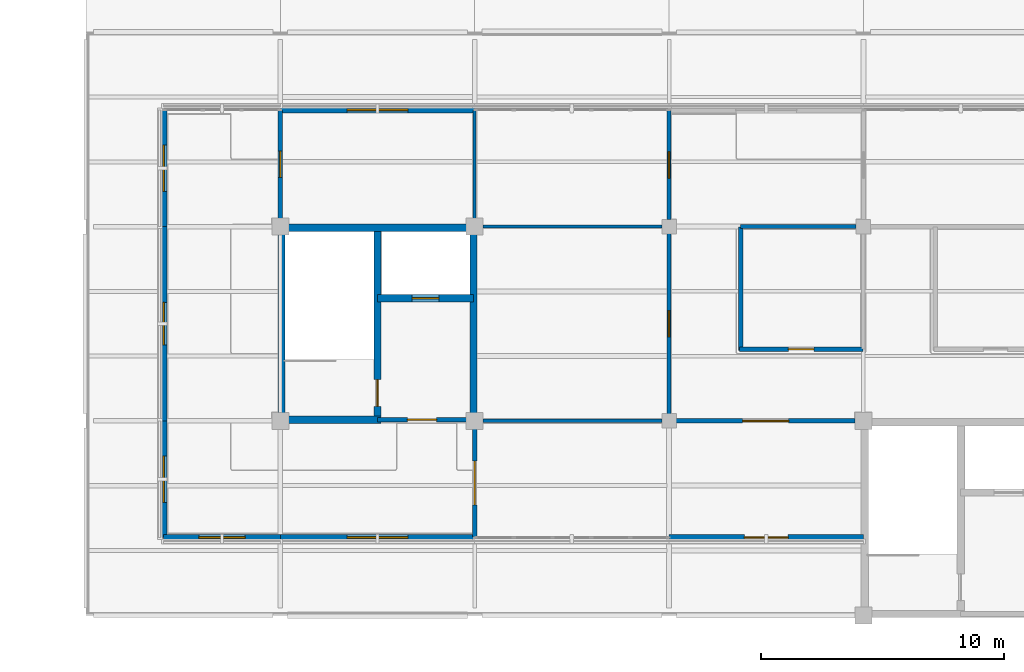
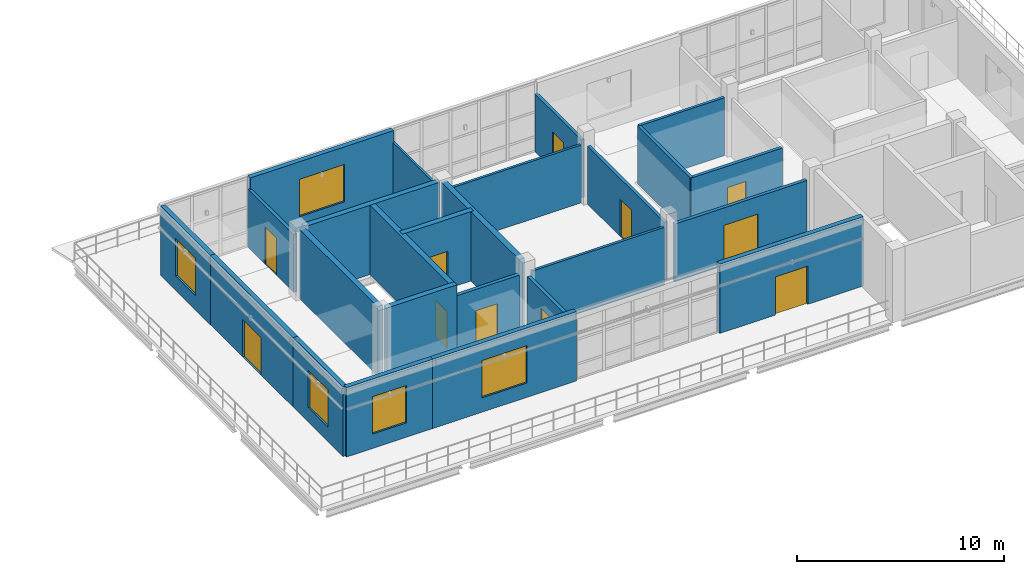
# One storey, part 17 of 24: 25 walls, 11 doors, 5 windows, 16 openings.
"""IFC4 building model written with IfcOpenShell, lengths in metres."""

import ifcopenshell
import ifcopenshell.guid

model = None  # the IFC model being written
_history = None  # IfcOwnerHistory: only IFC2X3 demands one
_inside = {}  # id of a spatial element -> (the spatial element, [elements in it])
_under = {}  # id of a project, library or spatial element -> (it, [spatial elements below it])
_declared = {}  # id of a project -> (the project, [libraries it declares])
_typed = {}  # id of a type object -> (the type object, [elements of that type])
_made_of = {}  # id of a material, layer set ... -> (it, [elements and type objects made of it])


def new_model(schema):
    """Start an empty IFC model of exactly this schema.

    Asked for "IFC4X3", IfcOpenShell would pick the latest addendum, in which some entities
    have other attributes; the version numbers below select the first issue.
    IFC2X3 requires an IfcOwnerHistory on every rooted entity: one is made here for all.
    """
    global model, _history
    if schema == "IFC4X3":
        model = ifcopenshell.file(schema_version=(4, 3, 0, 0))
    else:
        model = ifcopenshell.file(schema=schema)
    _inside.clear()
    _under.clear()
    _declared.clear()
    _typed.clear()
    _made_of.clear()
    _history = None
    if model.schema == "IFC2X3":
        org = make("IfcOrganization", Name="unknown")
        user = make(
            "IfcPersonAndOrganization",
            ThePerson=make("IfcPerson", FamilyName="unknown"),
            TheOrganization=org,
        )
        app = make(
            "IfcApplication",
            ApplicationDeveloper=org,
            Version="unknown",
            ApplicationFullName="unknown",
            ApplicationIdentifier="unknown",
        )
        _history = make(
            "IfcOwnerHistory",
            OwningUser=user,
            OwningApplication=app,
            ChangeAction="ADDED",
            CreationDate=0,
        )
    return model


def make(cls, **values):
    """One entity of the class cls with the attributes given. An attribute that is None is left unset."""
    return model.create_entity(
        cls, **{name: value for name, value in values.items() if value is not None}
    )


def rooted(cls, **values):
    """An entity with a GlobalId (a new one), such as an element, a storey or a relation."""
    return make(cls, GlobalId=ifcopenshell.guid.new(), OwnerHistory=_history, **values)


def si_unit(unit_type, name, prefix=None):
    """IfcSIUnit, for example si_unit("LENGTHUNIT", "METRE", prefix="MILLI")."""
    return make("IfcSIUnit", UnitType=unit_type, Prefix=prefix, Name=name)


def derived_unit(unit_type, elements):
    """IfcDerivedUnit: a product of units, each with its exponent."""
    return make(
        "IfcDerivedUnit",
        Elements=[
            make("IfcDerivedUnitElement", Unit=unit, Exponent=power)
            for unit, power in elements
        ],
        UnitType=unit_type,
    )


def assignment(units):
    """IfcUnitAssignment: the units of a project."""
    return None if units is None else make("IfcUnitAssignment", Units=units)


def point(xyz):
    """IfcCartesianPoint."""
    return None if xyz is None else make("IfcCartesianPoint", Coordinates=xyz)


def direction(xyz):
    """IfcDirection."""
    return None if xyz is None else make("IfcDirection", DirectionRatios=xyz)


def frame(location, z_axis=None, x_axis=None):
    """IfcAxis2Placement3D, a coordinate frame: its origin and axes. An axis left out is left unset."""
    return make(
        "IfcAxis2Placement3D",
        Location=point(location),
        Axis=direction(z_axis),
        RefDirection=direction(x_axis),
    )


def frame_2d(location, x_axis=None):
    """IfcAxis2Placement2D, a coordinate frame in the plane: its origin and x axis."""
    return make(
        "IfcAxis2Placement2D", Location=point(location), RefDirection=direction(x_axis)
    )


def origin():
    """The frame at (0, 0, 0) with its axes left unset."""
    return frame((0.0, 0.0, 0.0))


def place(relative_to, where):
    """IfcLocalPlacement: puts the frame where relative to a parent placement (None: the world)."""
    return make(
        "IfcLocalPlacement", PlacementRelTo=relative_to, RelativePlacement=where
    )


def context(
    kind, dimensions, precision=None, world=None, true_north=None, identifier=None
):
    """IfcGeometricRepresentationContext, for example the 3D "Model" context."""
    return make(
        "IfcGeometricRepresentationContext",
        ContextIdentifier=identifier,
        ContextType=kind,
        CoordinateSpaceDimension=dimensions,
        Precision=precision,
        WorldCoordinateSystem=world,
        TrueNorth=true_north,
    )


def subcontext(parent, identifier, kind, view, scale=None):
    """IfcGeometricRepresentationSubContext, for example "Body" below "Model"."""
    return make(
        "IfcGeometricRepresentationSubContext",
        ContextIdentifier=identifier,
        ContextType=kind,
        ParentContext=parent,
        TargetScale=scale,
        TargetView=view,
    )


def project(units=None, contexts=None):
    """IfcProject with its units and contexts."""
    return rooted(
        "IfcProject",
        Name="project",
        RepresentationContexts=contexts,
        UnitsInContext=assignment(units),
    )


def spatial(cls, under=None, at=None, **own):
    """A site, building, storey or space (cls), placed at a placement, below another one or the project."""
    s = rooted(cls, ObjectPlacement=at, **own)
    if under is not None:
        _under.setdefault(under.id(), (under, []))[1].append(s)
    return s


def profile(cls, at=None, kind="AREA", **sizes):
    """A parametric profile (cls). Its sizes go by their IFC names, for example OverallWidth=200.0."""
    return make(cls, ProfileType=kind, Position=at, **sizes)


def rectangle(**sizes):
    """IfcRectangleProfileDef."""
    return profile("IfcRectangleProfileDef", **sizes)


def extrude(swept, where, along, depth):
    """IfcExtrudedAreaSolid: the profile swept, set in the frame where, extruded along a direction by depth."""
    return make(
        "IfcExtrudedAreaSolid",
        SweptArea=swept,
        Position=where,
        ExtrudedDirection=direction(along),
        Depth=depth,
    )


def shape(context_of_items, identifier, shape_type, items):
    """IfcShapeRepresentation: the items that make up one representation, for example the "Body"."""
    return make(
        "IfcShapeRepresentation",
        ContextOfItems=context_of_items,
        RepresentationIdentifier=identifier,
        RepresentationType=shape_type,
        Items=items,
    )


def material(Name=None, Category=None):
    """IfcMaterial."""
    return make("IfcMaterial", Name=Name, Category=Category)


def layer(
    of_material, thickness, ventilated=None, Name=None, Category=None, Priority=None
):
    """IfcMaterialLayer: one layer of a wall or slab, of a material (None: an air gap)."""
    return make(
        "IfcMaterialLayer",
        Material=of_material,
        LayerThickness=thickness,
        IsVentilated=ventilated,
        Name=Name,
        Category=Category,
        Priority=Priority,
    )


def layer_set(layers, Name=None):
    """IfcMaterialLayerSet."""
    return make("IfcMaterialLayerSet", MaterialLayers=layers, LayerSetName=Name)


def made_of(thing, what):
    """Note that an element or type object is made of a material, layer set ...; save() writes the relation."""
    if what is not None:
        _made_of.setdefault(what.id(), (what, []))[1].append(thing)
    return thing


def type_object(cls, material=None, **own):
    """A type object (cls), such as IfcWallType, which elements share."""
    return made_of(rooted(cls, **own), material)


def element(
    cls,
    number,
    at=None,
    inside=None,
    cuts=None,
    type_object=None,
    material=None,
    context=None,
    identifier="Body",
    shape_type=None,
    held_by="IfcProductDefinitionShape",
    body=None,
    shapes=None,
    **own,
):
    """One element of the class cls, such as IfcWall. Its Tag is "e" and its number.

    at: its placement. inside: the storey or other place that contains it. cuts: it is an
    opening in that element (IfcRelVoidsElement). A single representation is given by context,
    identifier, shape_type and body (its items); several are given by shapes. held_by: the class
    of the entity that holds the representations. save() writes the other relations.
    """
    e = rooted(cls, Tag="e%d" % number, ObjectPlacement=at, **own)
    if body is not None:
        shapes = [shape(context, identifier, shape_type, body)]
    if shapes is not None:
        e.Representation = make(held_by, Representations=shapes)
    if inside is not None:
        _inside.setdefault(inside.id(), (inside, []))[1].append(e)
    if cuts is not None:
        rooted(
            "IfcRelVoidsElement", RelatingBuildingElement=cuts, RelatedOpeningElement=e
        )
    if type_object is not None:
        _typed.setdefault(type_object.id(), (type_object, []))[1].append(e)
    return made_of(e, material)


def fill(opening, filler):
    """IfcRelFillsElement: the door or window that sits in an opening."""
    return rooted(
        "IfcRelFillsElement",
        RelatingOpeningElement=opening,
        RelatedBuildingElement=filler,
    )


def aggregate(whole, parts):
    """IfcRelAggregates: a whole, such as a stair, and the parts it consists of."""
    return rooted("IfcRelAggregates", RelatingObject=whole, RelatedObjects=parts)


def save(model, path):
    """Write the relations noted so far, then the file.

    IfcRelAggregates (storeys below a building ...), IfcRelContainedInSpatialStructure (elements
    in a storey), IfcRelDefinesByType, IfcRelAssociatesMaterial and IfcRelDeclares: one each for
    every whole, place, type object, material and project.
    """
    for whole, parts in _under.values():
        aggregate(whole, parts)
    for where, things in _inside.values():
        rooted(
            "IfcRelContainedInSpatialStructure",
            RelatedElements=things,
            RelatingStructure=where,
        )
    for kind, things in _typed.values():
        rooted("IfcRelDefinesByType", RelatedObjects=things, RelatingType=kind)
    for what, things in _made_of.values():
        rooted("IfcRelAssociatesMaterial", RelatedObjects=things, RelatingMaterial=what)
    for by, libraries in _declared.values():
        rooted("IfcRelDeclares", RelatingContext=by, RelatedDefinitions=libraries)
    model.write(path)


model = new_model("IFC4")

# Units and contexts
model_context = context("Model", 3, precision=1e-05, world=origin(), true_north=direction((0.0, 1.0)))
body_context = subcontext(model_context, "Body", "Model", "MODEL_VIEW")
ifc_project = project(units=[si_unit("LENGTHUNIT", "METRE"), si_unit("AREAUNIT", "SQUARE_METRE"), si_unit("VOLUMEUNIT", "CUBIC_METRE"), si_unit("PLANEANGLEUNIT", "RADIAN"), si_unit("MASSUNIT", "GRAM", prefix="KILO"), derived_unit("THERMALTRANSMITTANCEUNIT", [(si_unit("MASSUNIT", "GRAM", prefix="KILO"), 1), (si_unit("TIMEUNIT", "SECOND"), -3), (si_unit("THERMODYNAMICTEMPERATUREUNIT", "KELVIN"), -1)])], contexts=[model_context])

# Site, building, storey
site_placement = place(None, origin())
site = spatial("IfcSite", under=ifc_project, at=site_placement, CompositionType="ELEMENT")
building_placement = place(site_placement, origin())
building = spatial("IfcBuilding", under=site, at=building_placement, Name="Veyamyaing Civic Hall", CompositionType="ELEMENT")
storey_placement = place(building_placement, frame((0.0, 0.0, 25.739990234375)))
storey = spatial("IfcBuildingStorey", under=building, at=storey_placement, Name="L06", CompositionType="ELEMENT", Elevation=25.739990234375)

# Walls
ifc_material_1 = material(Name="Concrete C40/50", Category="concrete")
ifc_layer_1 = layer(ifc_material_1, 0.300048828125, Name="Concrete C40/50")
ifc_layer_set_1 = layer_set([ifc_layer_1], Name="Concrete C40/50")
wall_type_1 = type_object("IfcWallType", Name="WT-05", PredefinedType="SHEAR", material=ifc_layer_set_1)
for number, where, z_axis, x_axis, name in (
    (1, (136.050048828125, 96.239990234375, 0.0), (0.0, 0.0, 1.0), (0.0, 1.0, 0.0), "Core shear wall WT-05 CORE-4 L06.W"),
    (2, (136.239990234375, 103.949951171875, 0.0), (0.0, 0.0, 1.0), (1.0, 0.0, 0.0), "Core shear wall WT-05 CORE-4 L06.N"),
    (3, (143.949951171875, 96.239990234375, 0.0), (0.0, 0.0, 1.0), (0.0, 1.0, 0.0), "Core shear wall WT-05 CORE-4 L06.E"),
):
    element("IfcWall", number, at=place(storey_placement, frame(where, z_axis=z_axis, x_axis=x_axis)), inside=storey, type_object=wall_type_1, Name=name, PredefinedType="SHEAR", context=body_context, shape_type="SweptSolid", body=[
        extrude(rectangle(XDim=7.52001953125, YDim=0.300048828125, at=frame_2d((3.760009765625, 0.0))), origin(), (0.0, 0.0, 1.0), 4.090087890625),
    ])
wall_1_placement = place(storey_placement, frame((136.239990234375, 96.050048828125, 0.0), z_axis=(0.0, 0.0, 1.0), x_axis=(1.0, 0.0, 0.0)))
element("IfcWall", 4, at=wall_1_placement, inside=storey, type_object=wall_type_1, Name="Core shear wall WT-05 CORE-4 L06.SS", PredefinedType="SHEAR", context=body_context, shape_type="SweptSolid", body=[
    extrude(rectangle(XDim=3.909912109375, YDim=0.300048828125, at=frame_2d((1.955078125, 0.0))), origin(), (0.0, 0.0, 1.0), 4.090087890625),
])

# Wall, opening, door
wall_2_placement = place(storey_placement, frame((140.0, 96.050048828125, 0.0), z_axis=(0.0, 0.0, 1.0), x_axis=(0.0, 1.0, 0.0)))
wall_2 = element("IfcWall", 5, at=wall_2_placement, inside=storey, type_object=wall_type_1, Name="Core shear wall WT-05 CORE-4 L06.MID", PredefinedType="SHEAR", context=body_context, shape_type="SweptSolid", body=[
    extrude(rectangle(XDim=7.89990234375, YDim=0.300048828125, at=frame_2d((3.949951171875, 0.0))), origin(), (0.0, 0.0, 1.0), 4.090087890625),
])
opening_1_placement = place(wall_2_placement, frame((0.550048828125, 0.0, 0.0)))
opening_1 = element("IfcOpeningElement", 6, at=opening_1_placement, cuts=wall_2, Name="Opening D-03", PredefinedType="OPENING", context=body_context, shape_type="SweptSolid", body=[
    extrude(rectangle(XDim=1.10009765625, YDim=2.14990234375, at=frame_2d((0.550048828125, 1.074951171875))), frame((0.0, 0.159912109375, 0.0), z_axis=(0.0, -1.0, 0.0), x_axis=(1.0, 0.0, 0.0)), (0.0, 0.0, 1.0), 0.320068359375),
])
ifc_material_2 = material(Name="Galvanized steel S355J2", Category="steel")
door_type_1 = type_object("IfcDoorType", Name="D-03", OperationType="NOTDEFINED", PredefinedType="DOOR", material=ifc_material_2)
door_1_placement = place(opening_1_placement, origin())
door_1 = element("IfcDoor", 7, at=door_1_placement, inside=storey, type_object=door_type_1, Name="Exit stair fire door D-03 ST-04 L06", OperationType="SINGLE_SWING_RIGHT", OverallHeight=2.14990234375, OverallWidth=1.10009765625, PredefinedType="DOOR", context=body_context, shape_type="SweptSolid", body=[
    extrude(rectangle(XDim=1.10009765625, YDim=2.14990234375, at=frame_2d((0.550048828125, 1.074951171875))), frame((0.0, 0.02490234375, 0.0), z_axis=(0.0, -1.0, 0.0), x_axis=(1.0, 0.0, 0.0)), (0.0, 0.0, 1.0), 0.050048828125),
])
fill(opening_1, door_1)

wall_3_placement = place(storey_placement, frame((140.0, 101.050048828125, 0.0), z_axis=(0.0, 0.0, 1.0), x_axis=(1.0, 0.0, 0.0)))
wall_3 = element("IfcWall", 8, at=wall_3_placement, inside=storey, type_object=wall_type_1, Name="Core shear wall WT-05 CORE-4 L06.LFT", PredefinedType="SHEAR", context=body_context, shape_type="SweptSolid", body=[
    extrude(rectangle(XDim=3.949951171875, YDim=0.300048828125, at=frame_2d((1.97509765625, 0.0))), origin(), (0.0, 0.0, 1.0), 4.090087890625),
])
opening_2_placement = place(wall_3_placement, frame((1.425048828125, 0.0, 0.0)))
opening_2 = element("IfcOpeningElement", 9, at=opening_2_placement, cuts=wall_3, Name="Opening LD-01", PredefinedType="OPENING", context=body_context, shape_type="SweptSolid", body=[
    extrude(rectangle(XDim=1.10009765625, YDim=2.199951171875, at=frame_2d((0.550048828125, 1.10009765625))), frame((0.0, 0.159912109375, 0.0), z_axis=(0.0, -1.0, 0.0), x_axis=(1.0, 0.0, 0.0)), (0.0, 0.0, 1.0), 0.320068359375),
])
ifc_material_3 = material(Name="Anodised aluminium 6063-T6", Category="aluminium")
door_type_2 = type_object("IfcDoorType", Name="LD-01", OperationType="SLIDING_TO_LEFT", PredefinedType="DOOR", material=ifc_material_3)
door_2_placement = place(opening_2_placement, origin())
door_2 = element("IfcDoor", 10, at=door_2_placement, inside=storey, type_object=door_type_2, Name="Lift sliding landing door LD-01 PL-02 L06", OperationType="SLIDING_TO_LEFT", OverallHeight=2.199951171875, OverallWidth=1.10009765625, PredefinedType="DOOR", context=body_context, shape_type="SweptSolid", body=[
    extrude(rectangle(XDim=1.10009765625, YDim=2.199951171875, at=frame_2d((0.550048828125, 1.10009765625))), frame((0.0, 0.02490234375, 0.0), z_axis=(0.0, -1.0, 0.0), x_axis=(1.0, 0.0, 0.0)), (0.0, 0.0, 1.0), 0.050048828125),
])
fill(opening_2, door_2)

ifc_layer_2 = layer(ifc_material_1, 0.199951171875, Name="Concrete C40/50")
ifc_layer_set_2 = layer_set([ifc_layer_2], Name="Concrete C40/50")
wall_type_2 = type_object("IfcWallType", Name="WT-06", PredefinedType="PARTITIONING", material=ifc_layer_set_2)
wall_4_placement = place(storey_placement, frame((140.0, 96.050048828125, 0.0), z_axis=(0.0, 0.0, 1.0), x_axis=(1.0, 0.0, 0.0)))
wall_4 = element("IfcWall", 11, at=wall_4_placement, inside=storey, type_object=wall_type_2, Name="Firefighting lift lobby wall WT-06 CORE-4 L06", PredefinedType="PARTITIONING", context=body_context, shape_type="SweptSolid", body=[
    extrude(rectangle(XDim=3.659912109375, YDim=0.199951171875, at=frame_2d((1.830078125, 0.0))), origin(), (0.0, 0.0, 1.0), 3.407958984375),
])
opening_3_placement = place(wall_4_placement, frame((1.22998046875, 0.0, 0.0)))
opening_3 = element("IfcOpeningElement", 12, at=opening_3_placement, cuts=wall_4, Name="Opening D-04", PredefinedType="OPENING", context=body_context, shape_type="SweptSolid", body=[
    extrude(rectangle(XDim=1.199951171875, YDim=2.14990234375, at=frame_2d((0.60009765625, 1.074951171875))), frame((0.0, 0.10986328125, 0.0), z_axis=(0.0, -1.0, 0.0), x_axis=(1.0, 0.0, 0.0)), (0.0, 0.0, 1.0), 0.219970703125),
])
door_type_3 = type_object("IfcDoorType", Name="D-04", OperationType="NOTDEFINED", PredefinedType="DOOR", material=ifc_material_2)
door_3_placement = place(opening_3_placement, frame((1.199951171875, 0.0, 0.0), z_axis=(0.0, 0.0, 1.0), x_axis=(-1.0, 0.0, 0.0)))
door_3 = element("IfcDoor", 13, at=door_3_placement, inside=storey, type_object=door_type_3, Name="Protected lobby fire door D-04 CORE-4 L06", OperationType="SINGLE_SWING_LEFT", OverallHeight=2.14990234375, OverallWidth=1.199951171875, PredefinedType="DOOR", context=body_context, shape_type="SweptSolid", body=[
    extrude(rectangle(XDim=1.199951171875, YDim=2.14990234375, at=frame_2d((0.60009765625, 1.074951171875))), frame((0.0, 0.02490234375, 0.0), z_axis=(0.0, -1.0, 0.0), x_axis=(1.0, 0.0, 0.0)), (0.0, 0.0, 1.0), 0.050048828125),
])
fill(opening_3, door_3)

ifc_material_4 = material(Name="Gypsum board on acoustic steel stud", Category="steel")
ifc_layer_3 = layer(ifc_material_4, 0.175048828125, Name="Gypsum board on acoustic steel stud")
ifc_layer_set_3 = layer_set([ifc_layer_3], Name="Gypsum board on acoustic steel stud")
wall_type_3 = type_object("IfcWallType", Name="WT-07", PredefinedType="PARTITIONING", material=ifc_layer_set_3)
wall_5_placement = place(storey_placement, frame((154.89990234375, 98.949951171875, 0.0), z_axis=(0.0, 0.0, 1.0), x_axis=(1.0, 0.0, 0.0)))
wall_5 = element("IfcWall", 14, at=wall_5_placement, inside=storey, type_object=wall_type_3, Name="Corridor gallery partition WT-07 L06.3.1", PredefinedType="PARTITIONING", context=body_context, shape_type="SweptSolid", body=[
    extrude(rectangle(XDim=5.080078125, YDim=0.175048828125, at=frame_2d((2.5400390625, 0.0))), origin(), (0.0, 0.0, 1.0), 3.407958984375),
])
opening_4_placement = place(wall_5_placement, frame((2.014892578125, 0.0, 0.0)))
opening_4 = element("IfcOpeningElement", 15, at=opening_4_placement, cuts=wall_5, Name="Opening D-12", PredefinedType="OPENING", context=body_context, shape_type="SweptSolid", body=[
    extrude(rectangle(XDim=1.050048828125, YDim=2.14990234375, at=frame_2d((0.52490234375, 1.074951171875))), frame((0.0, 0.097412109375, 0.0), z_axis=(0.0, -1.0, 0.0), x_axis=(1.0, 0.0, 0.0)), (0.0, 0.0, 1.0), 0.195068359375),
])
ifc_material_5 = material(Name="Teak-veneered acoustic timber", Category="wood")
door_type_4 = type_object("IfcDoorType", Name="D-12", OperationType="NOTDEFINED", PredefinedType="DOOR", material=ifc_material_5)
door_4_placement = place(opening_4_placement, origin())
door_4 = element("IfcDoor", 16, at=door_4_placement, inside=storey, type_object=door_type_4, Name="Gallery office door D-12 L06.3", OperationType="SINGLE_SWING_RIGHT", OverallHeight=2.14990234375, OverallWidth=1.050048828125, PredefinedType="DOOR", context=body_context, shape_type="SweptSolid", body=[
    extrude(rectangle(XDim=1.050048828125, YDim=2.14990234375, at=frame_2d((0.52490234375, 1.074951171875))), frame((0.0, 0.02490234375, 0.0), z_axis=(0.0, -1.0, 0.0), x_axis=(1.0, 0.0, 0.0)), (0.0, 0.0, 1.0), 0.050048828125),
])
fill(opening_4, door_4)

# Wall
wall_6_placement = place(storey_placement, frame((154.949951171875, 98.89990234375, 0.0), z_axis=(0.0, 0.0, 1.0), x_axis=(0.0, 1.0, 0.0)))
element("IfcWall", 17, at=wall_6_placement, inside=storey, type_object=wall_type_3, Name="Corridor gallery partition WT-07 L06.3.2", PredefinedType="PARTITIONING", context=body_context, shape_type="SweptSolid", body=[
    extrude(rectangle(XDim=5.080078125, YDim=0.175048828125, at=frame_2d((2.5400390625, 0.0))), origin(), (0.0, 0.0, 1.0), 3.407958984375),
])

# Wall, opening, door
wall_7_placement = place(storey_placement, frame((136.0, 104.340087890625, 0.0), z_axis=(0.0, 0.0, 1.0), x_axis=(0.0, 1.0, 0.0)))
wall_7 = element("IfcWall", 18, at=wall_7_placement, inside=storey, type_object=wall_type_3, Name="Interior partition wall WT-07 L06.13", PredefinedType="PARTITIONING", context=body_context, shape_type="SweptSolid", body=[
    extrude(rectangle(XDim=4.43994140625, YDim=0.175048828125, at=frame_2d((2.219970703125, 0.0))), origin(), (0.0, 0.0, 1.0), 3.407958984375),
])
opening_5_placement = place(wall_7_placement, frame((1.679931640625, 0.0, 0.0)))
opening_5 = element("IfcOpeningElement", 19, at=opening_5_placement, cuts=wall_7, Name="Opening D-23", PredefinedType="OPENING", context=body_context, shape_type="SweptSolid", body=[
    extrude(rectangle(XDim=1.080078125, YDim=2.199951171875, at=frame_2d((0.5400390625, 1.10009765625))), frame((0.0, 0.097412109375, 0.0), z_axis=(0.0, -1.0, 0.0), x_axis=(1.0, 0.0, 0.0)), (0.0, 0.0, 1.0), 0.195068359375),
])
door_type_5 = type_object("IfcDoorType", Name="D-23", OperationType="NOTDEFINED", PredefinedType="DOOR", material=ifc_material_5)
door_5_placement = place(opening_5_placement, frame((1.080078125, 0.0, 0.0), z_axis=(0.0, 0.0, 1.0), x_axis=(-1.0, 0.0, 0.0)))
door_5 = element("IfcDoor", 20, at=door_5_placement, inside=storey, type_object=door_type_5, Name="Interior door D-23 L06.13", OperationType="SINGLE_SWING_RIGHT", OverallHeight=2.199951171875, OverallWidth=1.080078125, PredefinedType="DOOR", context=body_context, shape_type="SweptSolid", body=[
    extrude(rectangle(XDim=1.080078125, YDim=2.199951171875, at=frame_2d((0.5400390625, 1.10009765625))), frame((0.0, 0.02490234375, 0.0), z_axis=(0.0, -1.0, 0.0), x_axis=(1.0, 0.0, 0.0)), (0.0, 0.0, 1.0), 0.050048828125),
])
fill(opening_5, door_5)

wall_8_placement = place(storey_placement, frame((152.0, 96.2900390625, 0.0), z_axis=(0.0, 0.0, 1.0), x_axis=(0.0, 1.0, 0.0)))
wall_8 = element("IfcWall", 21, at=wall_8_placement, inside=storey, type_object=wall_type_3, Name="Interior partition wall WT-07 L06.17", PredefinedType="PARTITIONING", context=body_context, shape_type="SweptSolid", body=[
    extrude(rectangle(XDim=7.419921875, YDim=0.175048828125, at=frame_2d((3.7099609375, 0.0))), origin(), (0.0, 0.0, 1.0), 3.407958984375),
])
opening_6_placement = place(wall_8_placement, frame((3.169921875, 0.0, 0.0)))
opening_6 = element("IfcOpeningElement", 22, at=opening_6_placement, cuts=wall_8, Name="Opening D-23", PredefinedType="OPENING", context=body_context, shape_type="SweptSolid", body=[
    extrude(rectangle(XDim=1.080078125, YDim=2.199951171875, at=frame_2d((0.5400390625, 1.10009765625))), frame((0.0, 0.097412109375, 0.0), z_axis=(0.0, -1.0, 0.0), x_axis=(1.0, 0.0, 0.0)), (0.0, 0.0, 1.0), 0.195068359375),
])
door_6_placement = place(opening_6_placement, origin())
door_6 = element("IfcDoor", 23, at=door_6_placement, inside=storey, type_object=door_type_5, Name="Interior door D-23 L06.17", OperationType="SINGLE_SWING_LEFT", OverallHeight=2.199951171875, OverallWidth=1.080078125, PredefinedType="DOOR", context=body_context, shape_type="SweptSolid", body=[
    extrude(rectangle(XDim=1.080078125, YDim=2.199951171875, at=frame_2d((0.5400390625, 1.10009765625))), frame((0.0, 0.02490234375, 0.0), z_axis=(0.0, -1.0, 0.0), x_axis=(1.0, 0.0, 0.0)), (0.0, 0.0, 1.0), 0.050048828125),
])
fill(opening_6, door_6)

wall_9_placement = place(storey_placement, frame((152.0, 104.2900390625, 0.0), z_axis=(0.0, 0.0, 1.0), x_axis=(0.0, 1.0, 0.0)))
wall_9 = element("IfcWall", 24, at=wall_9_placement, inside=storey, type_object=wall_type_3, Name="Interior partition wall WT-07 L06.19", PredefinedType="PARTITIONING", context=body_context, shape_type="SweptSolid", body=[
    extrude(rectangle(XDim=4.489990234375, YDim=0.175048828125, at=frame_2d((2.2451171875, 0.0))), origin(), (0.0, 0.0, 1.0), 3.407958984375),
])
opening_7_placement = place(wall_9_placement, frame((1.705078125, 0.0, 0.0)))
opening_7 = element("IfcOpeningElement", 25, at=opening_7_placement, cuts=wall_9, Name="Opening D-23", PredefinedType="OPENING", context=body_context, shape_type="SweptSolid", body=[
    extrude(rectangle(XDim=1.080078125, YDim=2.199951171875, at=frame_2d((0.5400390625, 1.10009765625))), frame((0.0, 0.097412109375, 0.0), z_axis=(0.0, -1.0, 0.0), x_axis=(1.0, 0.0, 0.0)), (0.0, 0.0, 1.0), 0.195068359375),
])
door_7_placement = place(opening_7_placement, origin())
door_7 = element("IfcDoor", 26, at=door_7_placement, inside=storey, type_object=door_type_5, Name="Interior door D-23 L06.19", OperationType="SINGLE_SWING_RIGHT", OverallHeight=2.199951171875, OverallWidth=1.080078125, PredefinedType="DOOR", context=body_context, shape_type="SweptSolid", body=[
    extrude(rectangle(XDim=1.080078125, YDim=2.199951171875, at=frame_2d((0.5400390625, 1.10009765625))), frame((0.0, 0.02490234375, 0.0), z_axis=(0.0, -1.0, 0.0), x_axis=(1.0, 0.0, 0.0)), (0.0, 0.0, 1.0), 0.050048828125),
])
fill(opening_7, door_7)

# Wall
ifc_material_6 = material(Name="Gypsum board on steel stud", Category="steel")
ifc_layer_4 = layer(ifc_material_6, 0.14990234375, Name="Gypsum board on steel stud")
ifc_layer_set_4 = layer_set([ifc_layer_4], Name="Gypsum board on steel stud")
wall_type_4 = type_object("IfcWallType", Name="WT-08", PredefinedType="PARTITIONING", material=ifc_layer_set_4)
wall_10_placement = place(storey_placement, frame((154.949951171875, 104.0, 0.0), z_axis=(0.0, 0.0, 1.0), x_axis=(1.0, 0.0, 0.0)))
element("IfcWall", 27, at=wall_10_placement, inside=storey, type_object=wall_type_4, Name="Gallery office end partition WT-08 L06.3.1", PredefinedType="PARTITIONING", context=body_context, shape_type="SweptSolid", body=[
    extrude(rectangle(XDim=4.739990234375, YDim=0.14990234375, at=frame_2d((2.3701171875, 0.0))), origin(), (0.0, 0.0, 1.0), 3.407958984375),
])

# Wall, opening, window
ifc_material_7 = material(Name="Precast concrete C40/50", Category="concrete")
ifc_layer_5 = layer(ifc_material_7, 0.260009765625, Name="Precast concrete C40/50")
ifc_layer_set_5 = layer_set([ifc_layer_5], Name="Precast concrete C40/50")
wall_type_5 = type_object("IfcWallType", Name="WT-09", PredefinedType="SOLIDWALL", material=ifc_layer_set_5)
wall_11_placement = place(storey_placement, frame((131.199951171875, 91.199951171875, 0.0), z_axis=(0.0, 0.0, 1.0), x_axis=(1.0, 0.0, 0.0)))
wall_11 = element("IfcWall", 28, at=wall_11_placement, inside=storey, type_object=wall_type_5, Name="Executive setback exterior wall WT-09 L06-NE-S-0", PredefinedType="SOLIDWALL", context=body_context, shape_type="SweptSolid", body=[
    extrude(rectangle(XDim=4.800048828125, YDim=0.260009765625, at=frame_2d((2.39990234375, 0.0))), origin(), (0.0, 0.0, 1.0), 4.090087890625),
])
opening_8_placement = place(wall_11_placement, frame((1.449951171875, 0.0, 0.85009765625)))
opening_8 = element("IfcOpeningElement", 29, at=opening_8_placement, cuts=wall_11, Name="Opening W-22", PredefinedType="OPENING", context=body_context, shape_type="SweptSolid", body=[
    extrude(rectangle(XDim=1.89990234375, YDim=2.199951171875, at=frame_2d((0.949951171875, 1.10009765625))), frame((0.0, 0.139892578125, 0.0), z_axis=(0.0, -1.0, 0.0), x_axis=(1.0, 0.0, 0.0)), (0.0, 0.0, 1.0), 0.280029296875),
])
ifc_material_8 = material(Name="Low-E insulated glass", Category="glass")
window_type_1 = type_object("IfcWindowType", Name="W-22", PartitioningType="SINGLE_PANEL", PredefinedType="WINDOW", material=ifc_material_8)
window_1_placement = place(opening_8_placement, origin())
window_1 = element("IfcWindow", 30, at=window_1_placement, inside=storey, type_object=window_type_1, Name="Executive window W-22 L06-NE-S-0", OverallHeight=2.199951171875, OverallWidth=1.89990234375, PartitioningType="SINGLE_PANEL", PredefinedType="WINDOW", context=body_context, shape_type="SweptSolid", body=[
    extrude(rectangle(XDim=1.89990234375, YDim=2.199951171875, at=frame_2d((0.949951171875, 1.10009765625))), frame((0.0, 0.030029296875, 0.0), z_axis=(0.0, -1.0, 0.0), x_axis=(1.0, 0.0, 0.0)), (0.0, 0.0, 1.0), 0.06005859375),
])
fill(opening_8, window_1)

wall_12_placement = place(storey_placement, frame((136.0, 91.199951171875, 0.0), z_axis=(0.0, 0.0, 1.0), x_axis=(1.0, 0.0, 0.0)))
wall_12 = element("IfcWall", 31, at=wall_12_placement, inside=storey, type_object=wall_type_5, Name="Executive setback exterior wall WT-09 L06-NE-S-1", PredefinedType="SOLIDWALL", context=body_context, shape_type="SweptSolid", body=[
    extrude(rectangle(XDim=8.0, YDim=0.260009765625, at=frame_2d((4.0, 0.0))), origin(), (0.0, 0.0, 1.0), 4.090087890625),
])
opening_9_placement = place(wall_12_placement, frame((2.75, 0.0, 0.85009765625)))
opening_9 = element("IfcOpeningElement", 32, at=opening_9_placement, cuts=wall_12, Name="Opening W-21", PredefinedType="OPENING", context=body_context, shape_type="SweptSolid", body=[
    extrude(rectangle(XDim=2.5, YDim=2.199951171875, at=frame_2d((1.25, 1.10009765625))), frame((0.0, 0.139892578125, 0.0), z_axis=(0.0, -1.0, 0.0), x_axis=(1.0, 0.0, 0.0)), (0.0, 0.0, 1.0), 0.280029296875),
])
window_type_2 = type_object("IfcWindowType", Name="W-21", PartitioningType="SINGLE_PANEL", PredefinedType="WINDOW", material=ifc_material_8)
window_2_placement = place(opening_9_placement, origin())
window_2 = element("IfcWindow", 33, at=window_2_placement, inside=storey, type_object=window_type_2, Name="Executive window W-21 L06-NE-S-1", OverallHeight=2.199951171875, OverallWidth=2.5, PartitioningType="SINGLE_PANEL", PredefinedType="WINDOW", context=body_context, shape_type="SweptSolid", body=[
    extrude(rectangle(XDim=2.5, YDim=2.199951171875, at=frame_2d((1.25, 1.10009765625))), frame((0.0, 0.030029296875, 0.0), z_axis=(0.0, -1.0, 0.0), x_axis=(1.0, 0.0, 0.0)), (0.0, 0.0, 1.0), 0.06005859375),
])
fill(opening_9, window_2)

# Wall, opening, door
wall_13_placement = place(storey_placement, frame((152.0, 91.199951171875, 0.0), z_axis=(0.0, 0.0, 1.0), x_axis=(1.0, 0.0, 0.0)))
wall_13 = element("IfcWall", 34, at=wall_13_placement, inside=storey, type_object=wall_type_5, Name="Executive setback exterior wall WT-09 L06-NE-S-3", PredefinedType="SOLIDWALL", context=body_context, shape_type="SweptSolid", body=[
    extrude(rectangle(XDim=8.0, YDim=0.260009765625, at=frame_2d((4.0, 0.0))), origin(), (0.0, 0.0, 1.0), 4.090087890625),
])
opening_10_placement = place(wall_13_placement, frame((3.10009765625, 0.0, 0.0)))
opening_10 = element("IfcOpeningElement", 35, at=opening_10_placement, cuts=wall_13, Name="Opening D-05", PredefinedType="OPENING", context=body_context, shape_type="SweptSolid", body=[
    extrude(rectangle(XDim=1.800048828125, YDim=2.25, at=frame_2d((0.89990234375, 1.125))), frame((0.0, 0.139892578125, 0.0), z_axis=(0.0, -1.0, 0.0), x_axis=(1.0, 0.0, 0.0)), (0.0, 0.0, 1.0), 0.280029296875),
])
door_type_6 = type_object("IfcDoorType", Name="D-05", OperationType="DOUBLE_DOOR_SINGLE_SWING", PredefinedType="DOOR", material=ifc_material_3)
door_8_placement = place(opening_10_placement, frame((1.800048828125, 0.0, 0.0), z_axis=(0.0, 0.0, 1.0), x_axis=(-1.0, 0.0, 0.0)))
door_8 = element("IfcDoor", 36, at=door_8_placement, inside=storey, type_object=door_type_6, Name="Setback roof terrace door D-05 L06-NE-S-3", OperationType="DOUBLE_DOOR_SINGLE_SWING", OverallHeight=2.25, OverallWidth=1.800048828125, PredefinedType="DOOR", context=body_context, shape_type="SweptSolid", body=[
    extrude(rectangle(XDim=1.800048828125, YDim=2.25, at=frame_2d((0.89990234375, 1.125))), frame((0.0, 0.02490234375, 0.0), z_axis=(0.0, -1.0, 0.0), x_axis=(1.0, 0.0, 0.0)), (0.0, 0.0, 1.0), 0.050048828125),
])
fill(opening_10, door_8)

# Wall, opening, window
wall_14_placement = place(storey_placement, frame((136.0, 108.800048828125, 0.0), z_axis=(0.0, 0.0, 1.0), x_axis=(1.0, 0.0, 0.0)))
wall_14 = element("IfcWall", 37, at=wall_14_placement, inside=storey, type_object=wall_type_5, Name="Executive setback exterior wall WT-09 L06-NE-N-1", PredefinedType="SOLIDWALL", context=body_context, shape_type="SweptSolid", body=[
    extrude(rectangle(XDim=8.0, YDim=0.260009765625, at=frame_2d((4.0, 0.0))), origin(), (0.0, 0.0, 1.0), 4.090087890625),
])
opening_11_placement = place(wall_14_placement, frame((2.75, 0.0, 0.85009765625)))
opening_11 = element("IfcOpeningElement", 38, at=opening_11_placement, cuts=wall_14, Name="Opening W-21", PredefinedType="OPENING", context=body_context, shape_type="SweptSolid", body=[
    extrude(rectangle(XDim=2.5, YDim=2.199951171875, at=frame_2d((1.25, 1.10009765625))), frame((0.0, 0.139892578125, 0.0), z_axis=(0.0, -1.0, 0.0), x_axis=(1.0, 0.0, 0.0)), (0.0, 0.0, 1.0), 0.280029296875),
])
window_3_placement = place(opening_11_placement, origin())
window_3 = element("IfcWindow", 39, at=window_3_placement, inside=storey, type_object=window_type_2, Name="Executive window W-21 L06-NE-N-1", OverallHeight=2.199951171875, OverallWidth=2.5, PartitioningType="SINGLE_PANEL", PredefinedType="WINDOW", context=body_context, shape_type="SweptSolid", body=[
    extrude(rectangle(XDim=2.5, YDim=2.199951171875, at=frame_2d((1.25, 1.10009765625))), frame((0.0, 0.030029296875, 0.0), z_axis=(0.0, -1.0, 0.0), x_axis=(1.0, 0.0, 0.0)), (0.0, 0.0, 1.0), 0.06005859375),
])
fill(opening_11, window_3)

wall_15_placement = place(storey_placement, frame((131.199951171875, 91.199951171875, 0.0), z_axis=(0.0, 0.0, 1.0), x_axis=(0.0, 1.0, 0.0)))
wall_15 = element("IfcWall", 40, at=wall_15_placement, inside=storey, type_object=wall_type_5, Name="Executive setback exterior wall WT-09 L06-NE-W-0", PredefinedType="SOLIDWALL", context=body_context, shape_type="SweptSolid", body=[
    extrude(rectangle(XDim=4.800048828125, YDim=0.260009765625, at=frame_2d((2.39990234375, 0.0))), origin(), (0.0, 0.0, 1.0), 4.090087890625),
])
opening_12_placement = place(wall_15_placement, frame((1.449951171875, 0.0, 0.85009765625)))
opening_12 = element("IfcOpeningElement", 41, at=opening_12_placement, cuts=wall_15, Name="Opening W-22", PredefinedType="OPENING", context=body_context, shape_type="SweptSolid", body=[
    extrude(rectangle(XDim=1.89990234375, YDim=2.199951171875, at=frame_2d((0.949951171875, 1.10009765625))), frame((0.0, 0.139892578125, 0.0), z_axis=(0.0, -1.0, 0.0), x_axis=(1.0, 0.0, 0.0)), (0.0, 0.0, 1.0), 0.280029296875),
])
window_4_placement = place(opening_12_placement, origin())
window_4 = element("IfcWindow", 42, at=window_4_placement, inside=storey, type_object=window_type_1, Name="Executive window W-22 L06-NE-W-0", OverallHeight=2.199951171875, OverallWidth=1.89990234375, PartitioningType="SINGLE_PANEL", PredefinedType="WINDOW", context=body_context, shape_type="SweptSolid", body=[
    extrude(rectangle(XDim=1.89990234375, YDim=2.199951171875, at=frame_2d((0.949951171875, 1.10009765625))), frame((0.0, 0.030029296875, 0.0), z_axis=(0.0, -1.0, 0.0), x_axis=(1.0, 0.0, 0.0)), (0.0, 0.0, 1.0), 0.06005859375),
])
fill(opening_12, window_4)

# Wall, opening, door
wall_16_placement = place(storey_placement, frame((131.199951171875, 96.0, 0.0), z_axis=(0.0, 0.0, 1.0), x_axis=(0.0, 1.0, 0.0)))
wall_16 = element("IfcWall", 43, at=wall_16_placement, inside=storey, type_object=wall_type_5, Name="Executive setback exterior wall WT-09 L06-NE-W-1", PredefinedType="SOLIDWALL", context=body_context, shape_type="SweptSolid", body=[
    extrude(rectangle(XDim=8.0, YDim=0.260009765625, at=frame_2d((4.0, 0.0))), origin(), (0.0, 0.0, 1.0), 4.090087890625),
])
opening_13_placement = place(wall_16_placement, frame((3.125, 0.0, 0.0)))
opening_13 = element("IfcOpeningElement", 44, at=opening_13_placement, cuts=wall_16, Name="Opening D-22", PredefinedType="OPENING", context=body_context, shape_type="SweptSolid", body=[
    extrude(rectangle(XDim=1.75, YDim=2.199951171875, at=frame_2d((0.875, 1.10009765625))), frame((0.0, 0.139892578125, 0.0), z_axis=(0.0, -1.0, 0.0), x_axis=(1.0, 0.0, 0.0)), (0.0, 0.0, 1.0), 0.280029296875),
])
door_type_7 = type_object("IfcDoorType", Name="D-22", OperationType="DOUBLE_DOOR_SINGLE_SWING", PredefinedType="DOOR", material=ifc_material_3)
door_9_placement = place(opening_13_placement, origin())
door_9 = element("IfcDoor", 45, at=door_9_placement, inside=storey, type_object=door_type_7, Name="Setback roof terrace door D-22 L06-NE-W-1", OperationType="DOUBLE_DOOR_SINGLE_SWING", OverallHeight=2.199951171875, OverallWidth=1.75, PredefinedType="DOOR", context=body_context, shape_type="SweptSolid", body=[
    extrude(rectangle(XDim=1.75, YDim=2.199951171875, at=frame_2d((0.875, 1.10009765625))), frame((0.0, 0.02490234375, 0.0), z_axis=(0.0, -1.0, 0.0), x_axis=(1.0, 0.0, 0.0)), (0.0, 0.0, 1.0), 0.050048828125),
])
fill(opening_13, door_9)

# Wall, opening, window
wall_17_placement = place(storey_placement, frame((131.199951171875, 104.0, 0.0), z_axis=(0.0, 0.0, 1.0), x_axis=(0.0, 1.0, 0.0)))
wall_17 = element("IfcWall", 46, at=wall_17_placement, inside=storey, type_object=wall_type_5, Name="Executive setback exterior wall WT-09 L06-NE-W-2", PredefinedType="SOLIDWALL", context=body_context, shape_type="SweptSolid", body=[
    extrude(rectangle(XDim=4.800048828125, YDim=0.260009765625, at=frame_2d((2.39990234375, 0.0))), origin(), (0.0, 0.0, 1.0), 4.090087890625),
])
opening_14_placement = place(wall_17_placement, frame((1.449951171875, 0.0, 0.85009765625)))
opening_14 = element("IfcOpeningElement", 47, at=opening_14_placement, cuts=wall_17, Name="Opening W-22", PredefinedType="OPENING", context=body_context, shape_type="SweptSolid", body=[
    extrude(rectangle(XDim=1.89990234375, YDim=2.199951171875, at=frame_2d((0.949951171875, 1.10009765625))), frame((0.0, 0.139892578125, 0.0), z_axis=(0.0, -1.0, 0.0), x_axis=(1.0, 0.0, 0.0)), (0.0, 0.0, 1.0), 0.280029296875),
])
window_5_placement = place(opening_14_placement, origin())
window_5 = element("IfcWindow", 48, at=window_5_placement, inside=storey, type_object=window_type_1, Name="Executive window W-22 L06-NE-W-2", OverallHeight=2.199951171875, OverallWidth=1.89990234375, PartitioningType="SINGLE_PANEL", PredefinedType="WINDOW", context=body_context, shape_type="SweptSolid", body=[
    extrude(rectangle(XDim=1.89990234375, YDim=2.199951171875, at=frame_2d((0.949951171875, 1.10009765625))), frame((0.0, 0.030029296875, 0.0), z_axis=(0.0, -1.0, 0.0), x_axis=(1.0, 0.0, 0.0)), (0.0, 0.0, 1.0), 0.06005859375),
])
fill(opening_14, window_5)

# Walls
ifc_layer_6 = layer(ifc_material_6, 0.135009765625, Name="Gypsum board on steel stud")
ifc_layer_set_6 = layer_set([ifc_layer_6], Name="Gypsum board on steel stud")
wall_type_6 = type_object("IfcWallType", Name="WT-15", PredefinedType="PARTITIONING", material=ifc_layer_set_6)
wall_18_placement = place(storey_placement, frame((144.340087890625, 104.0, 0.0), z_axis=(0.0, 0.0, 1.0), x_axis=(1.0, 0.0, 0.0)))
element("IfcWall", 49, at=wall_18_placement, inside=storey, type_object=wall_type_6, Name="Interior partition wall WT-15 L06.18", PredefinedType="PARTITIONING", context=body_context, shape_type="SweptSolid", body=[
    extrude(rectangle(XDim=7.369873046875, YDim=0.135009765625, at=frame_2d((3.68505859375, 0.0))), origin(), (0.0, 0.0, 1.0), 3.407958984375),
])
ifc_layer_7 = layer(ifc_material_6, 0.1201171875, Name="Gypsum board on steel stud")
ifc_layer_set_7 = layer_set([ifc_layer_7], Name="Gypsum board on steel stud")
wall_type_7 = type_object("IfcWallType", Name="WT-16", PredefinedType="PARTITIONING", material=ifc_layer_set_7)
wall_19_placement = place(storey_placement, frame((144.0, 104.340087890625, 0.0), z_axis=(0.0, 0.0, 1.0), x_axis=(0.0, 1.0, 0.0)))
element("IfcWall", 50, at=wall_19_placement, inside=storey, type_object=wall_type_7, Name="Interior partition wall WT-16 L06.15", PredefinedType="PARTITIONING", context=body_context, shape_type="SweptSolid", body=[
    extrude(rectangle(XDim=4.43994140625, YDim=0.1201171875, at=frame_2d((2.219970703125, 0.0))), origin(), (0.0, 0.0, 1.0), 3.407958984375),
])

# Wall, opening, door
ifc_material_9 = material(Name="Gypsum board on double acoustic stud")
ifc_layer_8 = layer(ifc_material_9, 0.18505859375, Name="Gypsum board on double acoustic stud")
ifc_layer_set_8 = layer_set([ifc_layer_8], Name="Gypsum board on double acoustic stud")
wall_type_8 = type_object("IfcWallType", Name="WT-19", PredefinedType="PARTITIONING", material=ifc_layer_set_8)
wall_20_placement = place(storey_placement, frame((144.0, 91.219970703125, 0.0), z_axis=(0.0, 0.0, 1.0), x_axis=(0.0, 1.0, 0.0)))
wall_20 = element("IfcWall", 51, at=wall_20_placement, inside=storey, type_object=wall_type_8, Name="Interior partition wall WT-19 L06.14", PredefinedType="PARTITIONING", context=body_context, shape_type="SweptSolid", body=[
    extrude(rectangle(XDim=4.43994140625, YDim=0.18505859375, at=frame_2d((2.219970703125, 0.0))), origin(), (0.0, 0.0, 1.0), 3.407958984375),
])
opening_15_placement = place(wall_20_placement, frame((1.320068359375, 0.0, 0.0)))
opening_15 = element("IfcOpeningElement", 52, at=opening_15_placement, cuts=wall_20, Name="Opening D-08", PredefinedType="OPENING", context=body_context, shape_type="SweptSolid", body=[
    extrude(rectangle(XDim=1.800048828125, YDim=2.35009765625, at=frame_2d((0.89990234375, 1.175048828125))), frame((0.0, 0.1025390625, 0.0), z_axis=(0.0, -1.0, 0.0), x_axis=(1.0, 0.0, 0.0)), (0.0, 0.0, 1.0), 0.205078125),
])
door_type_8 = type_object("IfcDoorType", Name="D-08", OperationType="DOUBLE_DOOR_SINGLE_SWING", PredefinedType="DOOR", material=ifc_material_5)
door_10_placement = place(opening_15_placement, frame((1.800048828125, 0.0, 0.0), z_axis=(0.0, 0.0, 1.0), x_axis=(-1.0, 0.0, 0.0)))
door_10 = element("IfcDoor", 53, at=door_10_placement, inside=storey, type_object=door_type_8, Name="Interior door D-08 L06.14", OperationType="DOUBLE_DOOR_SINGLE_SWING", OverallHeight=2.35009765625, OverallWidth=1.800048828125, PredefinedType="DOOR", context=body_context, shape_type="SweptSolid", body=[
    extrude(rectangle(XDim=1.800048828125, YDim=2.35009765625, at=frame_2d((0.89990234375, 1.175048828125))), frame((0.0, 0.02490234375, 0.0), z_axis=(0.0, -1.0, 0.0), x_axis=(1.0, 0.0, 0.0)), (0.0, 0.0, 1.0), 0.050048828125),
])
fill(opening_15, door_10)

wall_21_placement = place(storey_placement, frame((152.2900390625, 96.0, 0.0), z_axis=(0.0, 0.0, 1.0), x_axis=(1.0, 0.0, 0.0)))
wall_21 = element("IfcWall", 54, at=wall_21_placement, inside=storey, type_object=wall_type_8, Name="Interior partition wall WT-19 L06.20", PredefinedType="PARTITIONING", context=body_context, shape_type="SweptSolid", body=[
    extrude(rectangle(XDim=7.369873046875, YDim=0.18505859375, at=frame_2d((3.68505859375, 0.0))), origin(), (0.0, 0.0, 1.0), 3.407958984375),
])
opening_16_placement = place(wall_21_placement, frame((2.735107421875, 0.0, 0.0)))
opening_16 = element("IfcOpeningElement", 55, at=opening_16_placement, cuts=wall_21, Name="Opening D-31", PredefinedType="OPENING", context=body_context, shape_type="SweptSolid", body=[
    extrude(rectangle(XDim=1.89990234375, YDim=2.3798828125, at=frame_2d((0.949951171875, 1.18994140625))), frame((0.0, 0.1025390625, 0.0), z_axis=(0.0, -1.0, 0.0), x_axis=(1.0, 0.0, 0.0)), (0.0, 0.0, 1.0), 0.205078125),
])
door_type_9 = type_object("IfcDoorType", Name="D-31", OperationType="DOUBLE_DOOR_SINGLE_SWING", PredefinedType="DOOR", material=ifc_material_5)
door_11_placement = place(opening_16_placement, frame((1.89990234375, 0.0, 0.0), z_axis=(0.0, 0.0, 1.0), x_axis=(-1.0, 0.0, 0.0)))
door_11 = element("IfcDoor", 56, at=door_11_placement, inside=storey, type_object=door_type_9, Name="Interior door D-31 L06.20", OperationType="DOUBLE_DOOR_SINGLE_SWING", OverallHeight=2.3798828125, OverallWidth=1.89990234375, PredefinedType="DOOR", context=body_context, shape_type="SweptSolid", body=[
    extrude(rectangle(XDim=1.89990234375, YDim=2.3798828125, at=frame_2d((0.949951171875, 1.18994140625))), frame((0.0, 0.02490234375, 0.0), z_axis=(0.0, -1.0, 0.0), x_axis=(1.0, 0.0, 0.0)), (0.0, 0.0, 1.0), 0.050048828125),
])
fill(opening_16, door_11)

# Wall
ifc_layer_9 = layer(ifc_material_6, 0.14208984375, Name="Gypsum board on steel stud")
ifc_layer_set_9 = layer_set([ifc_layer_9], Name="Gypsum board on steel stud")
wall_type_9 = type_object("IfcWallType", Name="WT-20", PredefinedType="PARTITIONING", material=ifc_layer_set_9)
wall_22_placement = place(storey_placement, frame((144.340087890625, 96.0, 0.0), z_axis=(0.0, 0.0, 1.0), x_axis=(1.0, 0.0, 0.0)))
element("IfcWall", 57, at=wall_22_placement, inside=storey, type_object=wall_type_9, Name="Interior partition wall WT-20 L06.16", PredefinedType="PARTITIONING", context=body_context, shape_type="SweptSolid", body=[
    extrude(rectangle(XDim=7.369873046875, YDim=0.14208984375, at=frame_2d((3.68505859375, 0.0))), origin(), (0.0, 0.0, 1.0), 3.407958984375),
])

save(model, "model.ifc")
